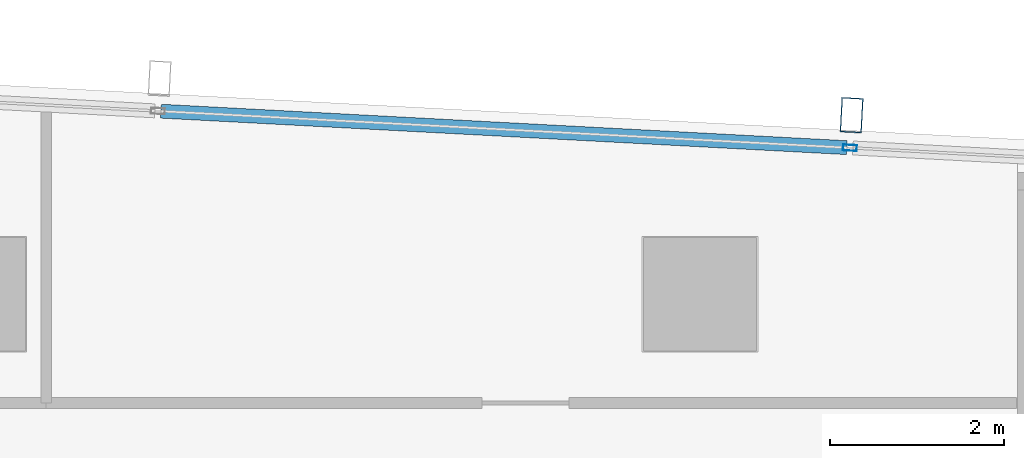
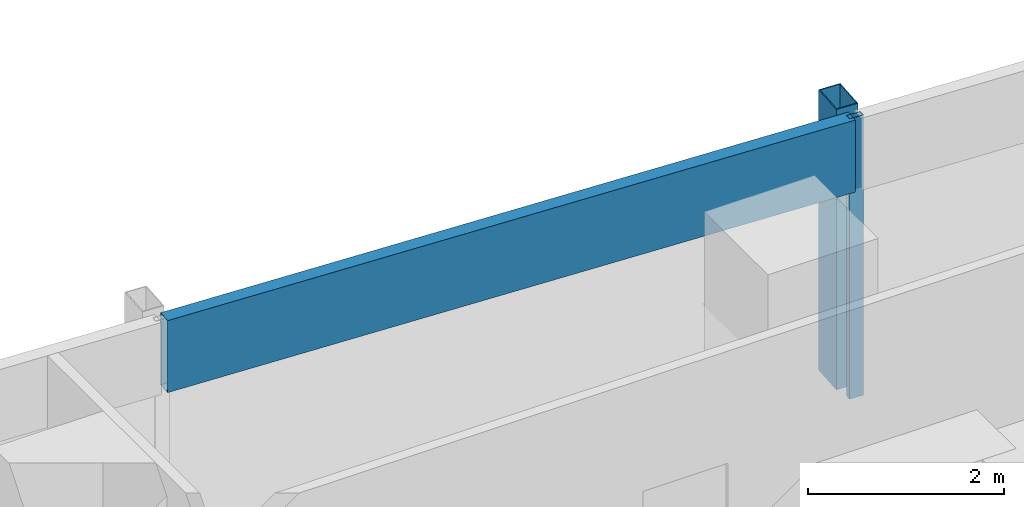
# One storey, part 16 of 26: 3 members, 1 element without a shape of its own.
"""IFC4 building model written with IfcOpenShell, lengths in metres."""

from ifc_helpers import new_model, si_unit, direction, frame, origin, origin_2d, place, context, subcontext, project, spatial, hollow_rectangle, extrude, material, material_profile, profile_set, type_object, element, aggregate, save


model = new_model("IFC4")

# Units and contexts
model_context = context("Model", 3, precision=1e-05, world=origin(), true_north=direction((0.0, 1.0)))
body_context = subcontext(model_context, "Body", "Model", "MODEL_VIEW")
ifc_project = project(units=[si_unit("LENGTHUNIT", "METRE"), si_unit("AREAUNIT", "SQUARE_METRE"), si_unit("VOLUMEUNIT", "CUBIC_METRE"), si_unit("PLANEANGLEUNIT", "RADIAN"), si_unit("MASSUNIT", "GRAM", prefix="KILO")], contexts=[model_context])

# Site, building, storey
site_placement = place(None, origin())
site = spatial("IfcSite", under=ifc_project, at=site_placement, CompositionType="ELEMENT")
building_placement = place(site_placement, origin())
building = spatial("IfcBuilding", under=site, at=building_placement, Name="Rekha Terrace Tower", CompositionType="ELEMENT")
storey_placement = place(building_placement, frame((0.0, 0.0, 283.85009765625)))
storey = spatial("IfcBuildingStorey", under=building, at=storey_placement, Name="L72", CompositionType="ELEMENT", Elevation=283.85009765625)

# Curtain wall, members
ifc_material_1 = material(Name="Aluminium framing", Category="aluminium")
curtain_wall_type = type_object("IfcCurtainWallType", Name="CW3 north unitised glazing", PredefinedType="USERDEFINED", material=ifc_material_1)
curtain_wall_placement = place(storey_placement, origin())
curtain_wall = element("IfcCurtainWall", 1, at=curtain_wall_placement, inside=storey, type_object=curtain_wall_type, Name="CW3 unitised curtain wall", ObjectType="UNITISED CURTAIN WALL", PredefinedType="USERDEFINED")
ifc_material_2 = material(Name="Steel S355 with fluorocarbon finish", Category="steel")
ifc_material_profile_1 = material_profile(ifc_material_2, hollow_rectangle(XDim=0.25, YDim=0.39990234375, WallThickness=0.012451171875, at=origin_2d()), Name="RHS400x250x12.5")
ifc_profile_set_1 = profile_set([ifc_material_profile_1], Name="Steel S355 with fluorocarbon finish")
member_type_1 = type_object("IfcMemberType", Name="BL1 facade blade RHS 400 x 250", PredefinedType="USERDEFINED", material=ifc_profile_set_1)
member_1_placement = place(storey_placement, frame((52.142822265625, 52.456298828125, 0.0), z_axis=(0.0, 0.0, 1.0), x_axis=(-0.998590068481, 0.053083661621, 0.0)))
member_1 = element("IfcMember", 2, at=member_1_placement, type_object=member_type_1, Name="Facade blade", ObjectType="FACADE BLADE", PredefinedType="USERDEFINED", context=body_context, shape_type="SweptSolid", body=[
    extrude(hollow_rectangle(XDim=0.25, YDim=0.39990234375, WallThickness=0.012451171875, at=origin_2d()), origin(), (0.0, 0.0, 1.0), 3.5),
])
ifc_material_3 = material(Name="Aluminium mullion section", Category="aluminium")
ifc_material_profile_2 = material_profile(ifc_material_3, hollow_rectangle(XDim=0.070068359375, YDim=0.159912109375, WallThickness=0.00390625, at=origin_2d()), Name="AL RHS 70x160")
ifc_profile_set_2 = profile_set([ifc_material_profile_2], Name="Aluminium mullion section")
member_type_2 = type_object("IfcMemberType", Name="CW3 mullion RHS 70 x 160", PredefinedType="MULLION", material=ifc_profile_set_2)
member_2_placement = place(storey_placement, frame((52.122802734375, 52.081787109375, 0.0), z_axis=(0.0, 0.0, 1.0), x_axis=(-0.053083275524, -0.998590089005, 0.0)))
member_2 = element("IfcMember", 3, at=member_2_placement, type_object=member_type_2, Name="CW3 mullion 2", PredefinedType="MULLION", context=body_context, shape_type="SweptSolid", body=[
    extrude(hollow_rectangle(XDim=0.070068359375, YDim=0.159912109375, WallThickness=0.00390625, at=origin_2d()), origin(), (0.0, 0.0, 1.0), 3.5),
])
ifc_material_4 = material(Name="Insulated aluminium spandrel box", Category="aluminium")
ifc_material_profile_3 = material_profile(ifc_material_4, hollow_rectangle(XDim=0.159912109375, YDim=0.89990234375, WallThickness=0.0029296875, at=origin_2d()), Name="AL SPANDREL BOX 160x900")
ifc_profile_set_3 = profile_set([ifc_material_profile_3], Name="Insulated aluminium spandrel box")
member_type_3 = type_object("IfcMemberType", Name="CW3 spandrel transom 160 x 900", PredefinedType="USERDEFINED", material=ifc_profile_set_3)
member_3_placement = place(storey_placement, frame((52.087890625, 52.08349609375, 3.0498046875), z_axis=(-0.998589741295, 0.053089816156, 0.0), x_axis=(-0.053089816156, -0.998589741295, 0.0)))
member_3 = element("IfcMember", 4, at=member_3_placement, type_object=member_type_3, Name="CW3 spandrel transom 2", ObjectType="TRANSOM", PredefinedType="USERDEFINED", context=body_context, shape_type="SweptSolid", body=[
    extrude(hollow_rectangle(XDim=0.159912109375, YDim=0.89990234375, WallThickness=0.0029296875, at=origin_2d()), origin(), (0.0, 0.0, 1.0), 7.891357421875),
])
aggregate(curtain_wall, [member_2, member_3, member_1])

save(model, "model.ifc")
